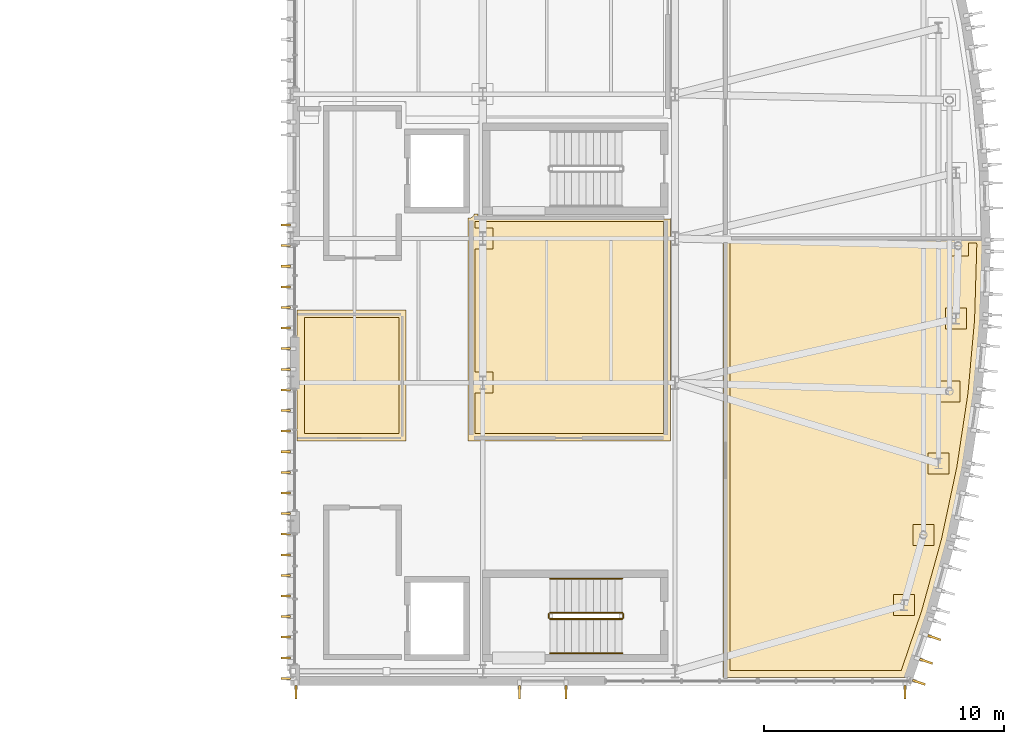
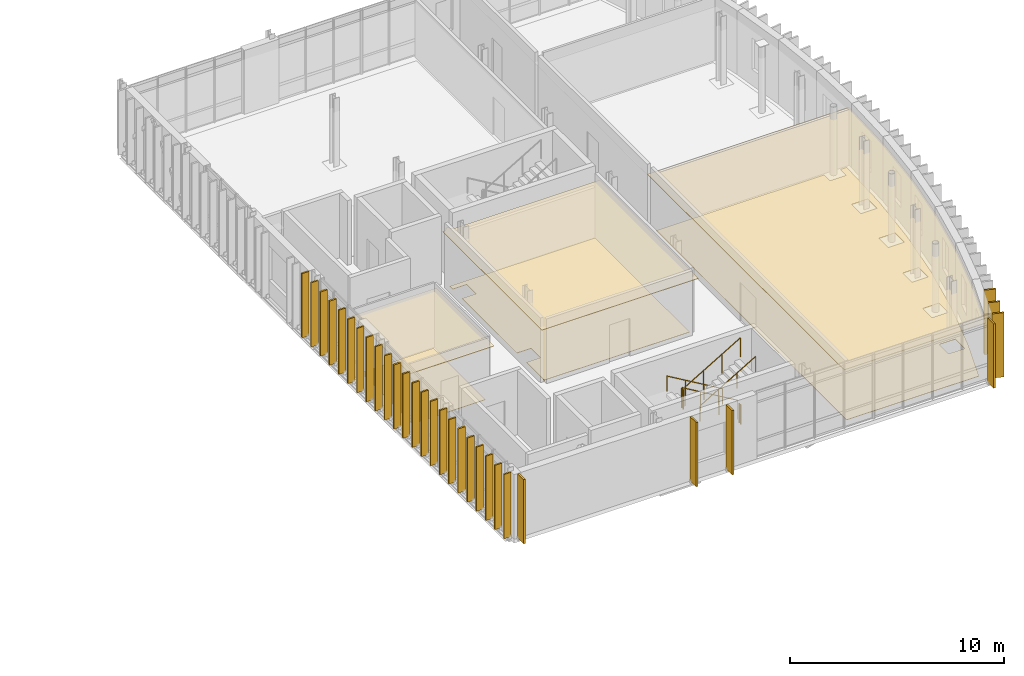
# One storey, part 41 of 43: 36 coverings, 6 railings.
"""IFC4 building model written with IfcOpenShell, lengths in metres."""

from ifc_helpers import new_model, si_unit, direction, frame, origin, origin_2d, place, context, subcontext, project, spatial, polyline, rectangle, circle, outline, extrude, material, layer, layer_set, type_object, element, save


model = new_model("IFC4")

# Units and contexts
model_context = context("Model", 3, precision=1e-05, world=origin(), true_north=direction((0.0, 1.0)))
body_context = subcontext(model_context, "Body", "Model", "MODEL_VIEW")
ifc_project = project(units=[si_unit("LENGTHUNIT", "METRE"), si_unit("AREAUNIT", "SQUARE_METRE"), si_unit("VOLUMEUNIT", "CUBIC_METRE"), si_unit("PLANEANGLEUNIT", "RADIAN"), si_unit("MASSUNIT", "GRAM", prefix="KILO")], contexts=[model_context])

# Site, building, storey
site_placement = place(None, origin())
site = spatial("IfcSite", under=ifc_project, at=site_placement, CompositionType="ELEMENT")
building_placement = place(site_placement, origin())
building = spatial("IfcBuilding", under=site, at=building_placement, Name="Cymarion Research Institute", CompositionType="ELEMENT")
storey_placement = place(building_placement, frame((0.0, 0.0, 22.800048828125)))
storey = spatial("IfcBuildingStorey", under=building, at=storey_placement, Name="L05", CompositionType="ELEMENT", Elevation=22.800048828125)

# Coverings
ifc_material_1 = material(Name="Micro-perforated mineral acoustic ceiling tile", Category="gypsum")
ifc_layer_1 = layer(ifc_material_1, 0.030029296875)
ifc_layer_set_1 = layer_set([ifc_layer_1], Name="Micro-perforated mineral acoustic ceiling tile")
covering_type_1 = type_object("IfcCoveringType", Name="ACOUSTIC MICRO-PERFORATED SUSPENDED CEILING CLG-01", PredefinedType="CEILING", material=ifc_layer_set_1)
covering_1_placement = place(storey_placement, frame((0.0, 0.0, 3.1298828125)))
element("IfcCovering", 1, at=covering_1_placement, inside=storey, type_object=covering_type_1, Name="L05 L05 Marine Ecology Dry Write-Up Studio acoustic ceiling", PredefinedType="CEILING", context=body_context, shape_type="SweptSolid", body=[
    extrude(outline(polyline([(143.4150390625, 20.514892578125), (143.4150390625, 15.0849609375), (138.885009765625, 15.0849609375), (138.885009765625, 20.514892578125), (143.4150390625, 20.514892578125)])), origin(), (0.0, 0.0, 1.0), 0.030029296875),
])
covering_2_placement = place(storey_placement, frame((0.0, 0.0, 3.1298828125)))
element("IfcCovering", 2, at=covering_2_placement, inside=storey, type_object=covering_type_1, Name="L05 L05 Central Electron Microscopy & Bio-Imaging Lab acoustic ceiling", PredefinedType="CEILING", context=body_context, shape_type="SweptSolid", body=[
    extrude(outline(polyline([(146.39990234375, 24.514892578125), (146.39990234375, 24.5), (146.40087890625, 24.48046875), (146.40380859375, 24.4609375), (146.40869140625, 24.44189453125), (146.415283203125, 24.423583984375), (146.423583984375, 24.40576171875), (146.43359375, 24.388916015625), (146.4453125, 24.373046875), (146.45849609375, 24.358642578125), (146.47314453125, 24.345458984375), (146.489013671875, 24.333740234375), (146.505615234375, 24.323486328125), (146.5234375, 24.315185546875), (146.5419921875, 24.30859375), (146.56103515625, 24.3037109375), (146.580322265625, 24.301025390625), (146.60009765625, 24.300048828125), (154.300048828125, 24.300048828125), (154.319580078125, 24.301025390625), (154.339111328125, 24.3037109375), (154.358154296875, 24.30859375), (154.37646484375, 24.315185546875), (154.394287109375, 24.323486328125), (154.4111328125, 24.333740234375), (154.4150390625, 24.336669921875), (154.4150390625, 15.0849609375), (145.985107421875, 15.0849609375), (145.985107421875, 24.35009765625), (146.050048828125, 24.35009765625), (146.069580078125, 24.35107421875), (146.089111328125, 24.353759765625), (146.108154296875, 24.358642578125), (146.12646484375, 24.365234375), (146.144287109375, 24.37353515625), (146.1611328125, 24.3837890625), (146.177001953125, 24.3955078125), (146.19140625, 24.40869140625), (146.20458984375, 24.423095703125), (146.21630859375, 24.43896484375), (146.226318359375, 24.455810546875), (146.23486328125, 24.473388671875), (146.241455078125, 24.491943359375), (146.24609375, 24.510986328125), (146.246826171875, 24.514892578125), (146.39990234375, 24.514892578125)])), origin(), (0.0, 0.0, 1.0), 0.030029296875),
])
covering_3_placement = place(storey_placement, frame((0.0, 0.0, 3.1298828125)))
element("IfcCovering", 3, at=covering_3_placement, inside=storey, type_object=covering_type_1, Name="L05 L05 Atmospheric & Marine Chemistry Wet Lab acoustic ceiling", PredefinedType="CEILING", context=body_context, shape_type="SweptSolid", body=[
    extrude(outline(polyline([(167.43896484375, 23.614990234375), (167.451416015625, 23.199951171875), (167.3583984375, 20.1015625), (167.080078125, 17.014404296875), (166.617431640625, 13.94921875), (165.971923828125, 10.91748046875), (165.14599609375, 7.9296875), (164.22412109375, 5.235107421875), (156.5849609375, 5.235107421875), (156.5849609375, 23.614990234375), (167.43896484375, 23.614990234375)])), origin(), (0.0, 0.0, 1.0), 0.030029296875),
])
ifc_material_2 = material(Name="Precast concrete C45/55 architectural white", Category="concrete")
ifc_layer_2 = layer(ifc_material_2, 0.090087890625)
ifc_layer_set_2 = layer_set([ifc_layer_2], Name="Precast concrete C45/55 architectural white")
covering_type_2 = type_object("IfcCoveringType", Name="ARCHITECTURAL WHITE PRECAST CONCRETE VERTICAL FIN FIN1 560MM", PredefinedType="CLADDING", material=ifc_layer_set_2)
for number, where, z_axis, x_axis, name in (
    (4, (138.840087890625, 4.617919921875, 0.009765625), (0.0, 0.0, 1.0), (0.0, -1.0, 0.0), "L05 V1 white precast vertical fin FIN1 #505"),
    (5, (148.131103515625, 4.617919921875, 0.009765625), (0.0, 0.0, 1.0), (0.0, -1.0, 0.0), "L05 V1 white precast vertical fin FIN1 #506"),
    (6, (150.071044921875, 4.617919921875, 0.009765625), (0.0, 0.0, 1.0), (0.0, -1.0, 0.0), "L05 V1 white precast vertical fin FIN1 #507"),
    (7, (164.159912109375, 4.617919921875, 0.009765625), (0.0, 0.0, 1.0), (0.0, -1.0, 0.0), "L05 V1 white precast vertical fin FIN1 #508"),
    (8, (164.744384765625, 5.035888671875, 0.009765625), (0.0, 0.0, 1.0), (0.946141878672, -0.32375229022, 0.0), "L05 V1 white precast vertical fin FIN1 #509"),
    (9, (165.043701171875, 5.91064453125, 0.009765625), (0.0, 0.0, 1.0), (0.946141878672, -0.32375229022, 0.0), "L05 V1 white precast vertical fin FIN1 #510"),
    (10, (165.380615234375, 6.89453125, 0.009765625), (0.0, 0.0, 1.0), (0.946141878672, -0.32375229022, 0.0), "L05 V1 white precast vertical fin FIN1 #511"),
):
    element("IfcCovering", number, at=place(storey_placement, frame(where, z_axis=z_axis, x_axis=x_axis)), inside=storey, type_object=covering_type_2, Name=name, PredefinedType="CLADDING", context=body_context, shape_type="SweptSolid", body=[
        extrude(rectangle(XDim=0.56005859375, YDim=0.090087890625, at=origin_2d()), origin(), (0.0, 0.0, 1.0), 3.659912109375),
    ])
ifc_layer_3 = layer(ifc_material_2, 0.0849609375)
ifc_layer_set_3 = layer_set([ifc_layer_3], Name="Precast concrete C45/55 architectural white")
covering_type_3 = type_object("IfcCoveringType", Name="ARCHITECTURAL WHITE PRECAST CONCRETE VERTICAL FIN FIN3 380MM", PredefinedType="CLADDING", material=ifc_layer_set_3)
for number, where, z_axis, x_axis, name in (
    (11, (138.407958984375, 24.05712890625, 0.009765625), (0.0, 0.0, 1.0), (-1.0, 0.0, 0.0), "L05 V1 white precast vertical fin FIN3 #578"),
    (12, (138.407958984375, 23.199951171875, 0.009765625), (0.0, 0.0, 1.0), (-1.0, 0.0, 0.0), "L05 V1 white precast vertical fin FIN3 #579"),
    (13, (138.407958984375, 22.343017578125, 0.009765625), (0.0, 0.0, 1.0), (-1.0, 0.0, 0.0), "L05 V1 white precast vertical fin FIN3 #580"),
    (14, (138.407958984375, 21.485595703125, 0.009765625), (0.0, 0.0, 1.0), (-1.0, 0.0, 0.0), "L05 V1 white precast vertical fin FIN3 #581"),
    (15, (138.407958984375, 20.628662109375, 0.009765625), (0.0, 0.0, 1.0), (-1.0, 0.0, 0.0), "L05 V1 white precast vertical fin FIN3 #582"),
    (16, (138.407958984375, 19.771484375, 0.009765625), (0.0, 0.0, 1.0), (-1.0, 0.0, 0.0), "L05 V1 white precast vertical fin FIN3 #583"),
    (17, (138.407958984375, 18.914306640625, 0.009765625), (0.0, 0.0, 1.0), (-1.0, 0.0, 0.0), "L05 V1 white precast vertical fin FIN3 #584"),
    (18, (138.407958984375, 18.05712890625, 0.009765625), (0.0, 0.0, 1.0), (-1.0, 0.0, 0.0), "L05 V1 white precast vertical fin FIN3 #585"),
    (19, (138.407958984375, 17.199951171875, 0.009765625), (0.0, 0.0, 1.0), (-1.0, 0.0, 0.0), "L05 V1 white precast vertical fin FIN3 #586"),
    (20, (138.407958984375, 16.343017578125, 0.009765625), (0.0, 0.0, 1.0), (-1.0, 0.0, 0.0), "L05 V1 white precast vertical fin FIN3 #587"),
    (21, (138.407958984375, 15.485595703125, 0.009765625), (0.0, 0.0, 1.0), (-1.0, 0.0, 0.0), "L05 V1 white precast vertical fin FIN3 #588"),
    (22, (138.407958984375, 14.628662109375, 0.009765625), (0.0, 0.0, 1.0), (-1.0, 0.0, 0.0), "L05 V1 white precast vertical fin FIN3 #589"),
    (23, (138.407958984375, 13.771484375, 0.009765625), (0.0, 0.0, 1.0), (-1.0, 0.0, 0.0), "L05 V1 white precast vertical fin FIN3 #590"),
    (24, (138.407958984375, 12.914306640625, 0.009765625), (0.0, 0.0, 1.0), (-1.0, 0.0, 0.0), "L05 V1 white precast vertical fin FIN3 #591"),
    (25, (138.407958984375, 12.05712890625, 0.009765625), (0.0, 0.0, 1.0), (-1.0, 0.0, 0.0), "L05 V1 white precast vertical fin FIN3 #592"),
    (26, (138.407958984375, 11.199951171875, 0.009765625), (0.0, 0.0, 1.0), (-1.0, 0.0, 0.0), "L05 V1 white precast vertical fin FIN3 #593"),
    (27, (138.407958984375, 10.343017578125, 0.009765625), (0.0, 0.0, 1.0), (-1.0, 0.0, 0.0), "L05 V1 white precast vertical fin FIN3 #594"),
    (28, (138.407958984375, 9.485595703125, 0.009765625), (0.0, 0.0, 1.0), (-1.0, 0.0, 0.0), "L05 V1 white precast vertical fin FIN3 #595"),
    (29, (138.407958984375, 8.628662109375, 0.009765625), (0.0, 0.0, 1.0), (-1.0, 0.0, 0.0), "L05 V1 white precast vertical fin FIN3 #596"),
    (30, (138.407958984375, 7.771484375, 0.009765625), (0.0, 0.0, 1.0), (-1.0, 0.0, 0.0), "L05 V1 white precast vertical fin FIN3 #597"),
    (31, (138.407958984375, 6.914306640625, 0.009765625), (0.0, 0.0, 1.0), (-1.0, 0.0, 0.0), "L05 V1 white precast vertical fin FIN3 #598"),
    (32, (138.407958984375, 6.05712890625, 0.009765625), (0.0, 0.0, 1.0), (-1.0, 0.0, 0.0), "L05 V1 white precast vertical fin FIN3 #599"),
    (33, (138.407958984375, 5.199951171875, 0.009765625), (0.0, 0.0, 1.0), (-1.0, 0.0, 0.0), "L05 V1 white precast vertical fin FIN3 #600"),
):
    element("IfcCovering", number, at=place(storey_placement, frame(where, z_axis=z_axis, x_axis=x_axis)), inside=storey, type_object=covering_type_3, Name=name, PredefinedType="CLADDING", context=body_context, shape_type="SweptSolid", body=[
        extrude(rectangle(XDim=0.3798828125, YDim=0.0849609375, at=origin_2d()), origin(), (0.0, 0.0, 1.0), 3.659912109375),
    ])

# Railings
ifc_material_3 = material(Name="Steel S355", Category="steel")
railing_type_1 = type_object("IfcRailingType", Name="PAINTED STEEL STAIR GUARDRAIL GR1 1100MM", PredefinedType="GUARDRAIL", material=ifc_material_3)
railing_1_placement = place(storey_placement, frame((152.39990234375, 7.929931640625, 0.17724609375)))
element("IfcRailing", 34, at=railing_1_placement, inside=storey, type_object=railing_type_1, Name="L05 ST1 stair guard 1", PredefinedType="GUARDRAIL", context=body_context, shape_type="SweptSolid", body=[
    extrude(circle(Radius=0.02392578125, at=origin_2d()), frame((0.0, 0.0, 1.076171875), z_axis=(-0.86092931783, 0.0, 0.508724591208), x_axis=(0.0, -1.0, 0.0)), (0.0, 0.0, 1.0), 3.484619140625),
    extrude(circle(Radius=0.02099609375, at=origin_2d()), origin(), (0.0, 0.0, 1.0), 1.052001953125),
    extrude(circle(Radius=0.02099609375, at=origin_2d()), frame((-1.0, 0.0, 0.5908203125)), (0.0, 0.0, 1.0), 1.052001953125),
    extrude(circle(Radius=0.02099609375, at=origin_2d()), frame((-2.0, 0.0, 1.181884765625)), (0.0, 0.0, 1.0), 1.052001953125),
    extrude(circle(Radius=0.02099609375, at=origin_2d()), frame((-3.0, 0.0, 1.772705078125)), (0.0, 0.0, 1.0), 1.052001953125),
])
railing_2_placement = place(storey_placement, frame((149.35009765625, 7.8798828125, 1.949951171875)))
element("IfcRailing", 35, at=railing_2_placement, inside=storey, type_object=railing_type_1, Name="L05 ST1 stair guard 2", PredefinedType="GUARDRAIL", context=body_context, shape_type="SweptSolid", body=[
    extrude(circle(Radius=0.02392578125, at=origin_2d()), frame((0.0, 0.0, 1.076171875), z_axis=(0.0, -1.0, 0.0), x_axis=(1.0, 0.0, 0.0)), (0.0, 0.0, 1.0), 0.159912109375),
    extrude(circle(Radius=0.02099609375, at=origin_2d()), origin(), (0.0, 0.0, 1.0), 1.052001953125),
    extrude(circle(Radius=0.02099609375, at=origin_2d()), frame((0.0, -0.159912109375, 0.0)), (0.0, 0.0, 1.0), 1.052001953125),
])
railing_3_placement = place(storey_placement, frame((149.39990234375, 7.669921875, 2.127197265625)))
element("IfcRailing", 36, at=railing_3_placement, inside=storey, type_object=railing_type_1, Name="L05 ST1 stair guard 3", PredefinedType="GUARDRAIL", context=body_context, shape_type="SweptSolid", body=[
    extrude(circle(Radius=0.02392578125, at=origin_2d()), frame((0.0, 0.0, 1.076171875), z_axis=(0.86092931783, 0.0, 0.508724591208), x_axis=(0.0, 1.0, 0.0)), (0.0, 0.0, 1.0), 3.484619140625),
    extrude(circle(Radius=0.02099609375, at=origin_2d()), origin(), (0.0, 0.0, 1.0), 1.052001953125),
    extrude(circle(Radius=0.02099609375, at=origin_2d()), frame((1.0, 0.0, 0.5908203125)), (0.0, 0.0, 1.0), 1.052001953125),
    extrude(circle(Radius=0.02099609375, at=origin_2d()), frame((2.0, 0.0, 1.181884765625)), (0.0, 0.0, 1.0), 1.052001953125),
    extrude(circle(Radius=0.02099609375, at=origin_2d()), frame((3.0, 0.0, 1.772705078125)), (0.0, 0.0, 1.0), 1.052001953125),
])
railing_4_placement = place(storey_placement, frame((152.449951171875, 7.8798828125, 0.0)))
element("IfcRailing", 37, at=railing_4_placement, inside=storey, type_object=railing_type_1, Name="L05 ST1 stair guard 4", PredefinedType="GUARDRAIL", context=body_context, shape_type="SweptSolid", body=[
    extrude(circle(Radius=0.02392578125, at=origin_2d()), frame((0.0, 0.0, 1.076171875), z_axis=(0.0, -1.0, 0.0), x_axis=(1.0, 0.0, 0.0)), (0.0, 0.0, 1.0), 0.159912109375),
    extrude(circle(Radius=0.02099609375, at=origin_2d()), origin(), (0.0, 0.0, 1.0), 1.052001953125),
    extrude(circle(Radius=0.02099609375, at=origin_2d()), frame((0.0, -0.159912109375, 0.0)), (0.0, 0.0, 1.0), 1.052001953125),
])

# Coverings
ifc_material_4 = material(Name="Seamless dissipative epoxy resin flooring", Category="resin")
ifc_layer_4 = layer(ifc_material_4, 0.02001953125)
ifc_layer_set_4 = layer_set([ifc_layer_4], Name="Seamless dissipative epoxy resin flooring")
covering_type_4 = type_object("IfcCoveringType", Name="SEAMLESS ESD EPOXY LABORATORY FLOORING FLR-01", PredefinedType="FLOORING", material=ifc_layer_set_4)
covering_4_placement = place(storey_placement, origin())
element("IfcCovering", 38, at=covering_4_placement, inside=storey, type_object=covering_type_4, Name="L05 L05 Marine Ecology Dry Write-Up Studio ESD epoxy flooring", PredefinedType="FLOORING", context=body_context, shape_type="SweptSolid", body=[
    extrude(outline(polyline([(139.18505859375, 20.215087890625), (143.114990234375, 20.215087890625), (143.114990234375, 15.385009765625), (139.18505859375, 15.385009765625), (139.18505859375, 20.215087890625)])), origin(), (0.0, 0.0, 1.0), 0.02001953125),
])
covering_5_placement = place(storey_placement, origin())
element("IfcCovering", 39, at=covering_5_placement, inside=storey, type_object=covering_type_4, Name="L05 L05 Central Electron Microscopy & Bio-Imaging Lab ESD epoxy flooring", PredefinedType="FLOORING", context=body_context, shape_type="SweptSolid", body=[
    extrude(outline(polyline([(146.284912109375, 17.06494140625), (147.034912109375, 17.06494140625), (147.034912109375, 17.93505859375), (146.284912109375, 17.93505859375), (146.284912109375, 23.06494140625), (147.034912109375, 23.06494140625), (147.034912109375, 23.93505859375), (146.284912109375, 23.93505859375), (146.284912109375, 24.215087890625), (154.114990234375, 24.215087890625), (154.114990234375, 15.385009765625), (146.284912109375, 15.385009765625), (146.284912109375, 17.06494140625)])), origin(), (0.0, 0.0, 1.0), 0.02001953125),
])
covering_6_placement = place(storey_placement, origin())
element("IfcCovering", 40, at=covering_6_placement, inside=storey, type_object=covering_type_4, Name="L05 L05 Atmospheric & Marine Chemistry Wet Lab ESD epoxy flooring", PredefinedType="FLOORING", context=body_context, shape_type="SweptSolid", body=[
    extrude(outline(polyline([(156.885009765625, 23.31494140625), (165.94140625, 23.31494140625), (165.94140625, 22.764892578125), (166.8115234375, 22.764892578125), (166.8115234375, 23.31494140625), (167.147705078125, 23.31494140625), (167.151123046875, 23.199951171875), (167.058837890625, 20.11962890625), (166.7822265625, 17.05029296875), (166.322021484375, 14.0029296875), (165.680419921875, 10.98876953125), (164.859130859375, 8.018310546875), (164.009521484375, 5.534912109375), (156.885009765625, 5.534912109375), (156.885009765625, 23.31494140625)]), holes=[polyline([(165.8505859375, 20.60107421875), (165.8505859375, 19.73095703125), (166.720458984375, 19.73095703125), (166.720458984375, 20.60107421875), (165.8505859375, 20.60107421875)]), polyline([(165.577880859375, 17.577880859375), (165.577880859375, 16.707763671875), (166.447998046875, 16.707763671875), (166.447998046875, 17.577880859375), (165.577880859375, 17.577880859375)]), polyline([(165.125, 14.576416015625), (165.125, 13.70654296875), (165.994873046875, 13.70654296875), (165.994873046875, 14.576416015625), (165.125, 14.576416015625)]), polyline([(164.492919921875, 10.73779296875), (165.36279296875, 10.73779296875), (165.36279296875, 11.607666015625), (164.492919921875, 11.607666015625), (164.492919921875, 10.73779296875)]), polyline([(163.68408203125, 8.681884765625), (163.68408203125, 7.81201171875), (164.553955078125, 7.81201171875), (164.553955078125, 8.681884765625), (163.68408203125, 8.681884765625)])]), origin(), (0.0, 0.0, 1.0), 0.02001953125),
])

# Railings
railing_type_2 = type_object("IfcRailingType", Name="STAINLESS STEEL STAIR HANDRAIL HR1 900MM", PredefinedType="HANDRAIL", material=ifc_material_3)
railing_5_placement = place(storey_placement, frame((152.39990234375, 9.35009765625, 0.17724609375)))
element("IfcRailing", 41, at=railing_5_placement, inside=storey, type_object=railing_type_2, Name="L05 ST1 stair handrail 1", PredefinedType="HANDRAIL", context=body_context, shape_type="SweptSolid", body=[
    extrude(circle(Radius=0.02392578125, at=origin_2d()), frame((0.0, 0.0, 0.8759765625), z_axis=(-0.86092931783, 0.0, 0.508724591208), x_axis=(0.0, -1.0, 0.0)), (0.0, 0.0, 1.0), 3.484619140625),
    extrude(circle(Radius=0.02099609375, at=origin_2d()), origin(), (0.0, 0.0, 1.0), 0.851806640625),
    extrude(circle(Radius=0.02099609375, at=origin_2d()), frame((-1.0, 0.0, 0.5908203125)), (0.0, 0.0, 1.0), 0.851806640625),
    extrude(circle(Radius=0.02099609375, at=origin_2d()), frame((-2.0, 0.0, 1.181884765625)), (0.0, 0.0, 1.0), 0.851806640625),
    extrude(circle(Radius=0.02099609375, at=origin_2d()), frame((-3.0, 0.0, 1.772705078125)), (0.0, 0.0, 1.0), 0.851806640625),
])
railing_6_placement = place(storey_placement, frame((149.39990234375, 6.25, 2.127197265625)))
element("IfcRailing", 42, at=railing_6_placement, inside=storey, type_object=railing_type_2, Name="L05 ST1 stair handrail 2", PredefinedType="HANDRAIL", context=body_context, shape_type="SweptSolid", body=[
    extrude(circle(Radius=0.02392578125, at=origin_2d()), frame((0.0, 0.0, 0.8759765625), z_axis=(0.86092931783, 0.0, 0.508724591208), x_axis=(0.0, 1.0, 0.0)), (0.0, 0.0, 1.0), 3.484619140625),
    extrude(circle(Radius=0.02099609375, at=origin_2d()), origin(), (0.0, 0.0, 1.0), 0.851806640625),
    extrude(circle(Radius=0.02099609375, at=origin_2d()), frame((1.0, 0.0, 0.5908203125)), (0.0, 0.0, 1.0), 0.851806640625),
    extrude(circle(Radius=0.02099609375, at=origin_2d()), frame((2.0, 0.0, 1.181884765625)), (0.0, 0.0, 1.0), 0.851806640625),
    extrude(circle(Radius=0.02099609375, at=origin_2d()), frame((3.0, 0.0, 1.772705078125)), (0.0, 0.0, 1.0), 0.851806640625),
])

save(model, "model.ifc")
